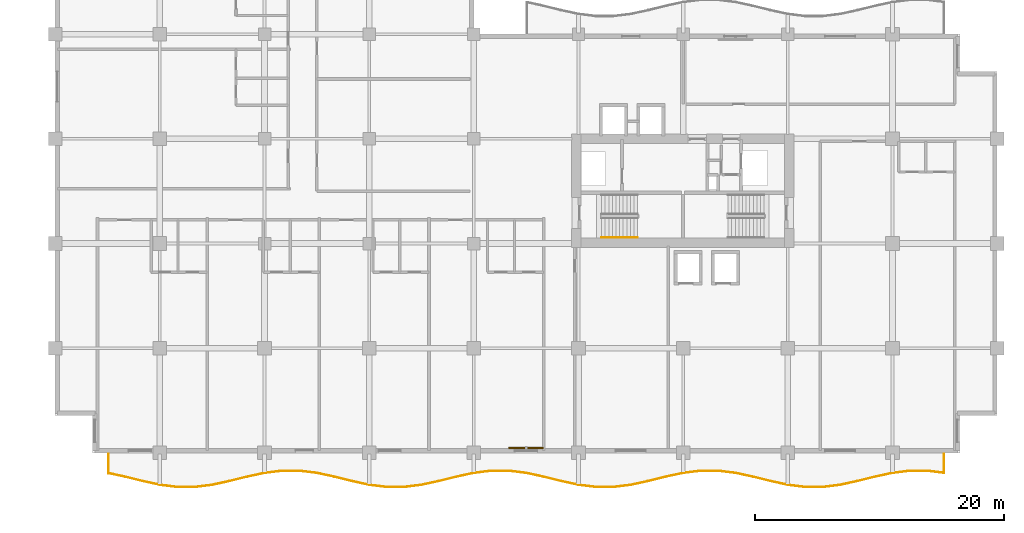
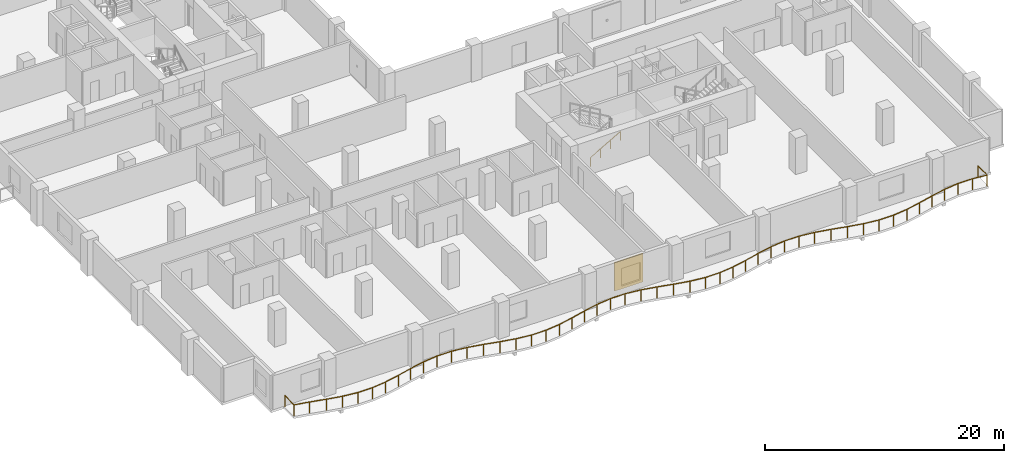
# One storey, part 13 of 16: 2 railings, 1 shading device.
"""IFC4 building model written with IfcOpenShell, lengths in metres."""

import ifcopenshell
import ifcopenshell.guid

model = None  # the IFC model being written
_history = None  # IfcOwnerHistory: only IFC2X3 demands one
_inside = {}  # id of a spatial element -> (the spatial element, [elements in it])
_under = {}  # id of a project, library or spatial element -> (it, [spatial elements below it])
_declared = {}  # id of a project -> (the project, [libraries it declares])
_typed = {}  # id of a type object -> (the type object, [elements of that type])
_made_of = {}  # id of a material, layer set ... -> (it, [elements and type objects made of it])


def new_model(schema):
    """Start an empty IFC model of exactly this schema.

    Asked for "IFC4X3", IfcOpenShell would pick the latest addendum, in which some entities
    have other attributes; the version numbers below select the first issue.
    IFC2X3 requires an IfcOwnerHistory on every rooted entity: one is made here for all.
    """
    global model, _history
    if schema == "IFC4X3":
        model = ifcopenshell.file(schema_version=(4, 3, 0, 0))
    else:
        model = ifcopenshell.file(schema=schema)
    _inside.clear()
    _under.clear()
    _declared.clear()
    _typed.clear()
    _made_of.clear()
    _history = None
    if model.schema == "IFC2X3":
        org = make("IfcOrganization", Name="unknown")
        user = make(
            "IfcPersonAndOrganization",
            ThePerson=make("IfcPerson", FamilyName="unknown"),
            TheOrganization=org,
        )
        app = make(
            "IfcApplication",
            ApplicationDeveloper=org,
            Version="unknown",
            ApplicationFullName="unknown",
            ApplicationIdentifier="unknown",
        )
        _history = make(
            "IfcOwnerHistory",
            OwningUser=user,
            OwningApplication=app,
            ChangeAction="ADDED",
            CreationDate=0,
        )
    return model


def make(cls, **values):
    """One entity of the class cls with the attributes given. An attribute that is None is left unset."""
    return model.create_entity(
        cls, **{name: value for name, value in values.items() if value is not None}
    )


def rooted(cls, **values):
    """An entity with a GlobalId (a new one), such as an element, a storey or a relation."""
    return make(cls, GlobalId=ifcopenshell.guid.new(), OwnerHistory=_history, **values)


def si_unit(unit_type, name, prefix=None):
    """IfcSIUnit, for example si_unit("LENGTHUNIT", "METRE", prefix="MILLI")."""
    return make("IfcSIUnit", UnitType=unit_type, Prefix=prefix, Name=name)


def assignment(units):
    """IfcUnitAssignment: the units of a project."""
    return None if units is None else make("IfcUnitAssignment", Units=units)


def point(xyz):
    """IfcCartesianPoint."""
    return None if xyz is None else make("IfcCartesianPoint", Coordinates=xyz)


def direction(xyz):
    """IfcDirection."""
    return None if xyz is None else make("IfcDirection", DirectionRatios=xyz)


def frame(location, z_axis=None, x_axis=None):
    """IfcAxis2Placement3D, a coordinate frame: its origin and axes. An axis left out is left unset."""
    return make(
        "IfcAxis2Placement3D",
        Location=point(location),
        Axis=direction(z_axis),
        RefDirection=direction(x_axis),
    )


def frame_2d(location, x_axis=None):
    """IfcAxis2Placement2D, a coordinate frame in the plane: its origin and x axis."""
    return make(
        "IfcAxis2Placement2D", Location=point(location), RefDirection=direction(x_axis)
    )


def origin():
    """The frame at (0, 0, 0) with its axes left unset."""
    return frame((0.0, 0.0, 0.0))


def origin_2d():
    """The frame at (0, 0) in the plane with its x axis left unset."""
    return frame_2d((0.0, 0.0))


def place(relative_to, where):
    """IfcLocalPlacement: puts the frame where relative to a parent placement (None: the world)."""
    return make(
        "IfcLocalPlacement", PlacementRelTo=relative_to, RelativePlacement=where
    )


def context(
    kind, dimensions, precision=None, world=None, true_north=None, identifier=None
):
    """IfcGeometricRepresentationContext, for example the 3D "Model" context."""
    return make(
        "IfcGeometricRepresentationContext",
        ContextIdentifier=identifier,
        ContextType=kind,
        CoordinateSpaceDimension=dimensions,
        Precision=precision,
        WorldCoordinateSystem=world,
        TrueNorth=true_north,
    )


def subcontext(parent, identifier, kind, view, scale=None):
    """IfcGeometricRepresentationSubContext, for example "Body" below "Model"."""
    return make(
        "IfcGeometricRepresentationSubContext",
        ContextIdentifier=identifier,
        ContextType=kind,
        ParentContext=parent,
        TargetScale=scale,
        TargetView=view,
    )


def project(units=None, contexts=None):
    """IfcProject with its units and contexts."""
    return rooted(
        "IfcProject",
        Name="project",
        RepresentationContexts=contexts,
        UnitsInContext=assignment(units),
    )


def spatial(cls, under=None, at=None, **own):
    """A site, building, storey or space (cls), placed at a placement, below another one or the project."""
    s = rooted(cls, ObjectPlacement=at, **own)
    if under is not None:
        _under.setdefault(under.id(), (under, []))[1].append(s)
    return s


def profile(cls, at=None, kind="AREA", **sizes):
    """A parametric profile (cls). Its sizes go by their IFC names, for example OverallWidth=200.0."""
    return make(cls, ProfileType=kind, Position=at, **sizes)


def rectangle(**sizes):
    """IfcRectangleProfileDef."""
    return profile("IfcRectangleProfileDef", **sizes)


def circle(**sizes):
    """IfcCircleProfileDef."""
    return profile("IfcCircleProfileDef", **sizes)


def extrude(swept, where, along, depth):
    """IfcExtrudedAreaSolid: the profile swept, set in the frame where, extruded along a direction by depth."""
    return make(
        "IfcExtrudedAreaSolid",
        SweptArea=swept,
        Position=where,
        ExtrudedDirection=direction(along),
        Depth=depth,
    )


def shape(context_of_items, identifier, shape_type, items):
    """IfcShapeRepresentation: the items that make up one representation, for example the "Body"."""
    return make(
        "IfcShapeRepresentation",
        ContextOfItems=context_of_items,
        RepresentationIdentifier=identifier,
        RepresentationType=shape_type,
        Items=items,
    )


def material(Name=None, Category=None):
    """IfcMaterial."""
    return make("IfcMaterial", Name=Name, Category=Category)


def layer(
    of_material, thickness, ventilated=None, Name=None, Category=None, Priority=None
):
    """IfcMaterialLayer: one layer of a wall or slab, of a material (None: an air gap)."""
    return make(
        "IfcMaterialLayer",
        Material=of_material,
        LayerThickness=thickness,
        IsVentilated=ventilated,
        Name=Name,
        Category=Category,
        Priority=Priority,
    )


def layer_set(layers, Name=None):
    """IfcMaterialLayerSet."""
    return make("IfcMaterialLayerSet", MaterialLayers=layers, LayerSetName=Name)


def made_of(thing, what):
    """Note that an element or type object is made of a material, layer set ...; save() writes the relation."""
    if what is not None:
        _made_of.setdefault(what.id(), (what, []))[1].append(thing)
    return thing


def type_object(cls, material=None, **own):
    """A type object (cls), such as IfcWallType, which elements share."""
    return made_of(rooted(cls, **own), material)


def element(
    cls,
    number,
    at=None,
    inside=None,
    cuts=None,
    type_object=None,
    material=None,
    context=None,
    identifier="Body",
    shape_type=None,
    held_by="IfcProductDefinitionShape",
    body=None,
    shapes=None,
    **own,
):
    """One element of the class cls, such as IfcWall. Its Tag is "e" and its number.

    at: its placement. inside: the storey or other place that contains it. cuts: it is an
    opening in that element (IfcRelVoidsElement). A single representation is given by context,
    identifier, shape_type and body (its items); several are given by shapes. held_by: the class
    of the entity that holds the representations. save() writes the other relations.
    """
    e = rooted(cls, Tag="e%d" % number, ObjectPlacement=at, **own)
    if body is not None:
        shapes = [shape(context, identifier, shape_type, body)]
    if shapes is not None:
        e.Representation = make(held_by, Representations=shapes)
    if inside is not None:
        _inside.setdefault(inside.id(), (inside, []))[1].append(e)
    if cuts is not None:
        rooted(
            "IfcRelVoidsElement", RelatingBuildingElement=cuts, RelatedOpeningElement=e
        )
    if type_object is not None:
        _typed.setdefault(type_object.id(), (type_object, []))[1].append(e)
    return made_of(e, material)


def aggregate(whole, parts):
    """IfcRelAggregates: a whole, such as a stair, and the parts it consists of."""
    return rooted("IfcRelAggregates", RelatingObject=whole, RelatedObjects=parts)


def save(model, path):
    """Write the relations noted so far, then the file.

    IfcRelAggregates (storeys below a building ...), IfcRelContainedInSpatialStructure (elements
    in a storey), IfcRelDefinesByType, IfcRelAssociatesMaterial and IfcRelDeclares: one each for
    every whole, place, type object, material and project.
    """
    for whole, parts in _under.values():
        aggregate(whole, parts)
    for where, things in _inside.values():
        rooted(
            "IfcRelContainedInSpatialStructure",
            RelatedElements=things,
            RelatingStructure=where,
        )
    for kind, things in _typed.values():
        rooted("IfcRelDefinesByType", RelatedObjects=things, RelatingType=kind)
    for what, things in _made_of.values():
        rooted("IfcRelAssociatesMaterial", RelatedObjects=things, RelatingMaterial=what)
    for by, libraries in _declared.values():
        rooted("IfcRelDeclares", RelatingContext=by, RelatedDefinitions=libraries)
    model.write(path)


model = new_model("IFC4")

# Units and contexts
model_context = context("Model", 3, precision=1e-05, world=origin(), true_north=direction((0.0, 1.0)))
body_context = subcontext(model_context, "Body", "Model", "MODEL_VIEW")
ifc_project = project(units=[si_unit("LENGTHUNIT", "METRE"), si_unit("AREAUNIT", "SQUARE_METRE"), si_unit("VOLUMEUNIT", "CUBIC_METRE"), si_unit("PLANEANGLEUNIT", "RADIAN"), si_unit("MASSUNIT", "GRAM", prefix="KILO")], contexts=[model_context])

# Site, building, storey
site_placement = place(None, origin())
site = spatial("IfcSite", under=ifc_project, at=site_placement, CompositionType="ELEMENT")
building_placement = place(site_placement, origin())
building = spatial("IfcBuilding", under=site, at=building_placement, Name="Koriwani Terraces Tower", CompositionType="ELEMENT")
storey_placement = place(building_placement, frame((0.0, 0.0, 171.699951171875)))
storey = spatial("IfcBuildingStorey", under=building, at=storey_placement, Name="L41", CompositionType="ELEMENT", Elevation=171.699951171875)

# Railings
ifc_material_1 = material(Name="Steel ASTM A572 Grade 50", Category="steel")
railing_type_1 = type_object("IfcRailingType", Name="GUARD_BALUSTRADE_1150", PredefinedType="BALUSTRADE", material=ifc_material_1)
railing_1_placement = place(storey_placement, frame((4.280029296875, -0.080078125, 0.0)))
element("IfcRailing", 1, at=railing_1_placement, inside=storey, type_object=railing_type_1, Name="L41 Balcony Perimeter Safety Balustrade (S)", PredefinedType="BALUSTRADE", context=body_context, shape_type="SweptSolid", body=[
    extrude(circle(Radius=0.02392578125, at=origin_2d()), frame((0.0, 0.0, 1.1259765625), z_axis=(0.0, -1.0, 0.0), x_axis=(1.0, 0.0, 0.0)), (0.0, 0.0, 1.0), 1.552978515625),
    extrude(circle(Radius=0.02392578125, at=origin_2d()), frame((0.0, -1.552978515625, 1.1259765625), z_axis=(0.977417151998, -0.211318979222, 0.0), x_axis=(0.211318979222, 0.977417151998, 0.0)), (0.0, 0.0, 1.0), 1.369140625),
    extrude(circle(Radius=0.02392578125, at=origin_2d()), frame((1.338134765625, -1.84228515625, 1.1259765625), z_axis=(0.970241952903, -0.242137466795, 0.0), x_axis=(0.242137466795, 0.970241952903, 0.0)), (0.0, 0.0, 1.0), 1.44287109375),
    extrude(circle(Radius=0.02392578125, at=origin_2d()), frame((2.738037109375, -2.191650390625, 1.1259765625), z_axis=(0.977402706702, -0.211385782237, 0.0), x_axis=(0.211385782237, 0.977402706702, 0.0)), (0.0, 0.0, 1.0), 1.427490234375),
    extrude(circle(Radius=0.02392578125, at=origin_2d()), frame((4.13330078125, -2.493408203125, 1.1259765625), z_axis=(0.992309982997, -0.123777613669, 0.0), x_axis=(0.123777613669, 0.992309982997, 0.0)), (0.0, 0.0, 1.0), 1.40234375),
    extrude(circle(Radius=0.02392578125, at=origin_2d()), frame((5.52490234375, -2.6669921875, 1.1259765625), z_axis=(1.0, 0.0, 0.0), x_axis=(0.0, 1.0, 0.0)), (0.0, 0.0, 1.0), 1.39013671875),
    extrude(circle(Radius=0.02392578125, at=origin_2d()), frame((6.9150390625, -2.6669921875, 1.1259765625), z_axis=(0.992309982997, 0.123777613669, 0.0), x_axis=(-0.123777613669, 0.992309982997, 0.0)), (0.0, 0.0, 1.0), 1.40234375),
    extrude(circle(Radius=0.02392578125, at=origin_2d()), frame((8.306640625, -2.493408203125, 1.1259765625), z_axis=(0.977402706702, 0.211385782237, 0.0), x_axis=(-0.211385782237, 0.977402706702, 0.0)), (0.0, 0.0, 1.0), 1.427490234375),
    extrude(circle(Radius=0.02392578125, at=origin_2d()), frame((9.701904296875, -2.191650390625, 1.1259765625), z_axis=(0.970241952903, 0.242137466795, 0.0), x_axis=(-0.242137466795, 0.970241952903, 0.0)), (0.0, 0.0, 1.0), 1.44287109375),
    extrude(circle(Radius=0.02392578125, at=origin_2d()), frame((11.101806640625, -1.84228515625, 1.1259765625), z_axis=(0.977453031353, 0.21115295759, 0.0), x_axis=(-0.21115295759, 0.977453031353, 0.0)), (0.0, 0.0, 1.0), 1.437255859375),
    extrude(circle(Radius=0.02392578125, at=origin_2d()), frame((12.506591796875, -1.538818359375, 1.1259765625), z_axis=(0.992322798546, 0.123674829633, 0.0), x_axis=(-0.123674829633, 0.992322798546, 0.0)), (0.0, 0.0, 1.0), 1.41943359375),
    extrude(circle(Radius=0.02392578125, at=origin_2d()), frame((13.9150390625, -1.36328125, 1.1259765625), z_axis=(1.0, 0.0, 0.0), x_axis=(0.0, 1.0, 0.0)), (0.0, 0.0, 1.0), 1.409912109375),
    extrude(circle(Radius=0.02392578125, at=origin_2d()), frame((15.324951171875, -1.36328125, 1.1259765625), z_axis=(0.992322798546, -0.123674829633, 0.0), x_axis=(0.123674829633, 0.992322798546, 0.0)), (0.0, 0.0, 1.0), 1.41943359375),
    extrude(circle(Radius=0.02392578125, at=origin_2d()), frame((16.7333984375, -1.538818359375, 1.1259765625), z_axis=(0.977453031353, -0.21115295759, 0.0), x_axis=(0.21115295759, 0.977453031353, 0.0)), (0.0, 0.0, 1.0), 1.437255859375),
    extrude(circle(Radius=0.02392578125, at=origin_2d()), frame((18.13818359375, -1.84228515625, 1.1259765625), z_axis=(0.970241952903, -0.242137466795, 0.0), x_axis=(0.242137466795, 0.970241952903, 0.0)), (0.0, 0.0, 1.0), 1.44287109375),
    extrude(circle(Radius=0.02392578125, at=origin_2d()), frame((19.5380859375, -2.191650390625, 1.1259765625), z_axis=(0.977402706702, -0.211385782237, 0.0), x_axis=(0.211385782237, 0.977402706702, 0.0)), (0.0, 0.0, 1.0), 1.427490234375),
    extrude(circle(Radius=0.02392578125, at=origin_2d()), frame((20.933349609375, -2.493408203125, 1.1259765625), z_axis=(0.992309982997, -0.123777613669, 0.0), x_axis=(0.123777613669, 0.992309982997, 0.0)), (0.0, 0.0, 1.0), 1.40234375),
    extrude(circle(Radius=0.02392578125, at=origin_2d()), frame((22.324951171875, -2.6669921875, 1.1259765625), z_axis=(1.0, 0.0, 0.0), x_axis=(0.0, 1.0, 0.0)), (0.0, 0.0, 1.0), 1.39013671875),
    extrude(circle(Radius=0.02392578125, at=origin_2d()), frame((23.715087890625, -2.6669921875, 1.1259765625), z_axis=(0.992309982997, 0.123777613669, 0.0), x_axis=(-0.123777613669, 0.992309982997, 0.0)), (0.0, 0.0, 1.0), 1.40234375),
    extrude(circle(Radius=0.02392578125, at=origin_2d()), frame((25.106689453125, -2.493408203125, 1.1259765625), z_axis=(0.977402706702, 0.211385782237, 0.0), x_axis=(-0.211385782237, 0.977402706702, 0.0)), (0.0, 0.0, 1.0), 1.427490234375),
    extrude(circle(Radius=0.02392578125, at=origin_2d()), frame((26.501953125, -2.191650390625, 1.1259765625), z_axis=(0.970241952903, 0.242137466795, 0.0), x_axis=(-0.242137466795, 0.970241952903, 0.0)), (0.0, 0.0, 1.0), 1.44287109375),
    extrude(circle(Radius=0.02392578125, at=origin_2d()), frame((27.90185546875, -1.84228515625, 1.1259765625), z_axis=(0.977453031353, 0.21115295759, 0.0), x_axis=(-0.21115295759, 0.977453031353, 0.0)), (0.0, 0.0, 1.0), 1.437255859375),
    extrude(circle(Radius=0.02392578125, at=origin_2d()), frame((29.306640625, -1.538818359375, 1.1259765625), z_axis=(0.992322798546, 0.123674829633, 0.0), x_axis=(-0.123674829633, 0.992322798546, 0.0)), (0.0, 0.0, 1.0), 1.41943359375),
    extrude(circle(Radius=0.02392578125, at=origin_2d()), frame((30.715087890625, -1.36328125, 1.1259765625), z_axis=(1.0, 0.0, 0.0), x_axis=(0.0, 1.0, 0.0)), (0.0, 0.0, 1.0), 1.409912109375),
    extrude(circle(Radius=0.02392578125, at=origin_2d()), frame((32.125, -1.36328125, 1.1259765625), z_axis=(0.992322798546, -0.123674829633, 0.0), x_axis=(0.123674829633, 0.992322798546, 0.0)), (0.0, 0.0, 1.0), 1.41943359375),
    extrude(circle(Radius=0.02392578125, at=origin_2d()), frame((33.533447265625, -1.538818359375, 1.1259765625), z_axis=(0.977445455552, -0.211188023857, 0.0), x_axis=(0.211188023857, 0.977445455552, 0.0)), (0.0, 0.0, 1.0), 1.43701171875),
    extrude(circle(Radius=0.02392578125, at=origin_2d()), frame((34.93798828125, -1.84228515625, 1.1259765625), z_axis=(0.970251871253, -0.242097720621, 0.0), x_axis=(0.242097720621, 0.970251871253, 0.0)), (0.0, 0.0, 1.0), 1.443115234375),
    extrude(circle(Radius=0.02392578125, at=origin_2d()), frame((36.338134765625, -2.191650390625, 1.1259765625), z_axis=(0.977402706702, -0.211385782237, 0.0), x_axis=(0.211385782237, 0.977402706702, 0.0)), (0.0, 0.0, 1.0), 1.427490234375),
    extrude(circle(Radius=0.02392578125, at=origin_2d()), frame((37.7333984375, -2.493408203125, 1.1259765625), z_axis=(0.992309982997, -0.123777613669, 0.0), x_axis=(0.123777613669, 0.992309982997, 0.0)), (0.0, 0.0, 1.0), 1.40234375),
    extrude(circle(Radius=0.02392578125, at=origin_2d()), frame((39.125, -2.6669921875, 1.1259765625), z_axis=(1.0, 0.0, 0.0), x_axis=(0.0, 1.0, 0.0)), (0.0, 0.0, 1.0), 1.389892578125),
    extrude(circle(Radius=0.02392578125, at=origin_2d()), frame((40.514892578125, -2.6669921875, 1.1259765625), z_axis=(0.992309982997, 0.123777613669, 0.0), x_axis=(-0.123777613669, 0.992309982997, 0.0)), (0.0, 0.0, 1.0), 1.40234375),
    extrude(circle(Radius=0.02392578125, at=origin_2d()), frame((41.906494140625, -2.493408203125, 1.1259765625), z_axis=(0.977402706702, 0.211385782237, 0.0), x_axis=(-0.211385782237, 0.977402706702, 0.0)), (0.0, 0.0, 1.0), 1.427490234375),
    extrude(circle(Radius=0.02392578125, at=origin_2d()), frame((43.3017578125, -2.191650390625, 1.1259765625), z_axis=(0.970251871253, 0.242097720621, 0.0), x_axis=(-0.242097720621, 0.970251871253, 0.0)), (0.0, 0.0, 1.0), 1.443115234375),
    extrude(circle(Radius=0.02392578125, at=origin_2d()), frame((44.701904296875, -1.84228515625, 1.1259765625), z_axis=(0.977453031353, 0.21115295759, 0.0), x_axis=(-0.21115295759, 0.977453031353, 0.0)), (0.0, 0.0, 1.0), 1.437255859375),
    extrude(circle(Radius=0.02392578125, at=origin_2d()), frame((46.106689453125, -1.538818359375, 1.1259765625), z_axis=(0.992320166908, 0.123695943136, 0.0), x_axis=(-0.123695943136, 0.992320166908, 0.0)), (0.0, 0.0, 1.0), 1.419189453125),
    extrude(circle(Radius=0.02392578125, at=origin_2d()), frame((47.514892578125, -1.36328125, 1.1259765625), z_axis=(1.0, 0.0, 0.0), x_axis=(0.0, 1.0, 0.0)), (0.0, 0.0, 1.0), 1.41015625),
    extrude(circle(Radius=0.02392578125, at=origin_2d()), frame((48.925048828125, -1.36328125, 1.1259765625), z_axis=(0.992320166908, -0.123695943136, 0.0), x_axis=(0.123695943136, 0.992320166908, 0.0)), (0.0, 0.0, 1.0), 1.419189453125),
    extrude(circle(Radius=0.02392578125, at=origin_2d()), frame((50.333251953125, -1.538818359375, 1.1259765625), z_axis=(0.977453031353, -0.21115295759, 0.0), x_axis=(0.21115295759, 0.977453031353, 0.0)), (0.0, 0.0, 1.0), 1.437255859375),
    extrude(circle(Radius=0.02392578125, at=origin_2d()), frame((51.738037109375, -1.84228515625, 1.1259765625), z_axis=(0.970251871253, -0.242097720621, 0.0), x_axis=(0.242097720621, 0.970251871253, 0.0)), (0.0, 0.0, 1.0), 1.443115234375),
    extrude(circle(Radius=0.02392578125, at=origin_2d()), frame((53.13818359375, -2.191650390625, 1.1259765625), z_axis=(0.977402706702, -0.211385782237, 0.0), x_axis=(0.211385782237, 0.977402706702, 0.0)), (0.0, 0.0, 1.0), 1.427490234375),
    extrude(circle(Radius=0.02392578125, at=origin_2d()), frame((54.533447265625, -2.493408203125, 1.1259765625), z_axis=(0.992309982997, -0.123777613669, 0.0), x_axis=(0.123777613669, 0.992309982997, 0.0)), (0.0, 0.0, 1.0), 1.40234375),
    extrude(circle(Radius=0.02392578125, at=origin_2d()), frame((55.925048828125, -2.6669921875, 1.1259765625), z_axis=(1.0, 0.0, 0.0), x_axis=(0.0, 1.0, 0.0)), (0.0, 0.0, 1.0), 1.389892578125),
    extrude(circle(Radius=0.02392578125, at=origin_2d()), frame((57.31494140625, -2.6669921875, 1.1259765625), z_axis=(0.992309982997, 0.123777613669, 0.0), x_axis=(-0.123777613669, 0.992309982997, 0.0)), (0.0, 0.0, 1.0), 1.40234375),
    extrude(circle(Radius=0.02392578125, at=origin_2d()), frame((58.70654296875, -2.493408203125, 1.1259765625), z_axis=(0.977402706702, 0.211385782237, 0.0), x_axis=(-0.211385782237, 0.977402706702, 0.0)), (0.0, 0.0, 1.0), 1.427490234375),
    extrude(circle(Radius=0.02392578125, at=origin_2d()), frame((60.101806640625, -2.191650390625, 1.1259765625), z_axis=(0.970251871253, 0.242097720621, 0.0), x_axis=(-0.242097720621, 0.970251871253, 0.0)), (0.0, 0.0, 1.0), 1.443115234375),
    extrude(circle(Radius=0.02392578125, at=origin_2d()), frame((61.501953125, -1.84228515625, 1.1259765625), z_axis=(0.977445455552, 0.211188023857, 0.0), x_axis=(-0.211188023857, 0.977445455552, 0.0)), (0.0, 0.0, 1.0), 1.43701171875),
    extrude(circle(Radius=0.02392578125, at=origin_2d()), frame((62.906494140625, -1.538818359375, 1.1259765625), z_axis=(0.992322798546, 0.123674829633, 0.0), x_axis=(-0.123674829633, 0.992322798546, 0.0)), (0.0, 0.0, 1.0), 1.41943359375),
    extrude(circle(Radius=0.02392578125, at=origin_2d()), frame((64.31494140625, -1.36328125, 1.1259765625), z_axis=(1.0, 0.0, 0.0), x_axis=(0.0, 1.0, 0.0)), (0.0, 0.0, 1.0), 1.409912109375),
    extrude(circle(Radius=0.02392578125, at=origin_2d()), frame((65.724853515625, -1.36328125, 1.1259765625), z_axis=(0.992331628798, -0.123603958219, 0.0), x_axis=(0.123603958219, 0.992331628798, 0.0)), (0.0, 0.0, 1.0), 1.325439453125),
    extrude(circle(Radius=0.02392578125, at=origin_2d()), frame((67.0400390625, -1.527099609375, 1.1259765625), z_axis=(0.0, 1.0, 0.0), x_axis=(-1.0, 0.0, 0.0)), (0.0, 0.0, 1.0), 1.527099609375),
    extrude(circle(Radius=0.02099609375, at=origin_2d()), origin(), (0.0, 0.0, 1.0), 1.101806640625),
    extrude(circle(Radius=0.02099609375, at=origin_2d()), frame((0.0, -1.552978515625, 0.0)), (0.0, 0.0, 1.0), 1.101806640625),
    extrude(circle(Radius=0.02099609375, at=origin_2d()), frame((1.338134765625, -1.84228515625, 0.0)), (0.0, 0.0, 1.0), 1.101806640625),
    extrude(circle(Radius=0.02099609375, at=origin_2d()), frame((2.738037109375, -2.191650390625, 0.0)), (0.0, 0.0, 1.0), 1.101806640625),
    extrude(circle(Radius=0.02099609375, at=origin_2d()), frame((4.13330078125, -2.493408203125, 0.0)), (0.0, 0.0, 1.0), 1.101806640625),
    extrude(circle(Radius=0.02099609375, at=origin_2d()), frame((5.52490234375, -2.6669921875, 0.0)), (0.0, 0.0, 1.0), 1.101806640625),
    extrude(circle(Radius=0.02099609375, at=origin_2d()), frame((6.9150390625, -2.6669921875, 0.0)), (0.0, 0.0, 1.0), 1.101806640625),
    extrude(circle(Radius=0.02099609375, at=origin_2d()), frame((8.306640625, -2.493408203125, 0.0)), (0.0, 0.0, 1.0), 1.101806640625),
    extrude(circle(Radius=0.02099609375, at=origin_2d()), frame((9.701904296875, -2.191650390625, 0.0)), (0.0, 0.0, 1.0), 1.101806640625),
    extrude(circle(Radius=0.02099609375, at=origin_2d()), frame((11.101806640625, -1.84228515625, 0.0)), (0.0, 0.0, 1.0), 1.101806640625),
    extrude(circle(Radius=0.02099609375, at=origin_2d()), frame((12.506591796875, -1.538818359375, 0.0)), (0.0, 0.0, 1.0), 1.101806640625),
    extrude(circle(Radius=0.02099609375, at=origin_2d()), frame((13.9150390625, -1.36328125, 0.0)), (0.0, 0.0, 1.0), 1.101806640625),
    extrude(circle(Radius=0.02099609375, at=origin_2d()), frame((15.324951171875, -1.36328125, 0.0)), (0.0, 0.0, 1.0), 1.101806640625),
    extrude(circle(Radius=0.02099609375, at=origin_2d()), frame((16.7333984375, -1.538818359375, 0.0)), (0.0, 0.0, 1.0), 1.101806640625),
    extrude(circle(Radius=0.02099609375, at=origin_2d()), frame((18.13818359375, -1.84228515625, 0.0)), (0.0, 0.0, 1.0), 1.101806640625),
    extrude(circle(Radius=0.02099609375, at=origin_2d()), frame((19.5380859375, -2.191650390625, 0.0)), (0.0, 0.0, 1.0), 1.101806640625),
    extrude(circle(Radius=0.02099609375, at=origin_2d()), frame((20.933349609375, -2.493408203125, 0.0)), (0.0, 0.0, 1.0), 1.101806640625),
    extrude(circle(Radius=0.02099609375, at=origin_2d()), frame((22.324951171875, -2.6669921875, 0.0)), (0.0, 0.0, 1.0), 1.101806640625),
    extrude(circle(Radius=0.02099609375, at=origin_2d()), frame((23.715087890625, -2.6669921875, 0.0)), (0.0, 0.0, 1.0), 1.101806640625),
    extrude(circle(Radius=0.02099609375, at=origin_2d()), frame((25.106689453125, -2.493408203125, 0.0)), (0.0, 0.0, 1.0), 1.101806640625),
    extrude(circle(Radius=0.02099609375, at=origin_2d()), frame((26.501953125, -2.191650390625, 0.0)), (0.0, 0.0, 1.0), 1.101806640625),
    extrude(circle(Radius=0.02099609375, at=origin_2d()), frame((27.90185546875, -1.84228515625, 0.0)), (0.0, 0.0, 1.0), 1.101806640625),
    extrude(circle(Radius=0.02099609375, at=origin_2d()), frame((29.306640625, -1.538818359375, 0.0)), (0.0, 0.0, 1.0), 1.101806640625),
    extrude(circle(Radius=0.02099609375, at=origin_2d()), frame((30.715087890625, -1.36328125, 0.0)), (0.0, 0.0, 1.0), 1.101806640625),
    extrude(circle(Radius=0.02099609375, at=origin_2d()), frame((32.125, -1.36328125, 0.0)), (0.0, 0.0, 1.0), 1.101806640625),
    extrude(circle(Radius=0.02099609375, at=origin_2d()), frame((33.533447265625, -1.538818359375, 0.0)), (0.0, 0.0, 1.0), 1.101806640625),
    extrude(circle(Radius=0.02099609375, at=origin_2d()), frame((34.93798828125, -1.84228515625, 0.0)), (0.0, 0.0, 1.0), 1.101806640625),
    extrude(circle(Radius=0.02099609375, at=origin_2d()), frame((36.338134765625, -2.191650390625, 0.0)), (0.0, 0.0, 1.0), 1.101806640625),
    extrude(circle(Radius=0.02099609375, at=origin_2d()), frame((37.7333984375, -2.493408203125, 0.0)), (0.0, 0.0, 1.0), 1.101806640625),
    extrude(circle(Radius=0.02099609375, at=origin_2d()), frame((39.125, -2.6669921875, 0.0)), (0.0, 0.0, 1.0), 1.101806640625),
    extrude(circle(Radius=0.02099609375, at=origin_2d()), frame((40.514892578125, -2.6669921875, 0.0)), (0.0, 0.0, 1.0), 1.101806640625),
    extrude(circle(Radius=0.02099609375, at=origin_2d()), frame((41.906494140625, -2.493408203125, 0.0)), (0.0, 0.0, 1.0), 1.101806640625),
    extrude(circle(Radius=0.02099609375, at=origin_2d()), frame((43.3017578125, -2.191650390625, 0.0)), (0.0, 0.0, 1.0), 1.101806640625),
    extrude(circle(Radius=0.02099609375, at=origin_2d()), frame((44.701904296875, -1.84228515625, 0.0)), (0.0, 0.0, 1.0), 1.101806640625),
    extrude(circle(Radius=0.02099609375, at=origin_2d()), frame((46.106689453125, -1.538818359375, 0.0)), (0.0, 0.0, 1.0), 1.101806640625),
    extrude(circle(Radius=0.02099609375, at=origin_2d()), frame((47.514892578125, -1.36328125, 0.0)), (0.0, 0.0, 1.0), 1.101806640625),
    extrude(circle(Radius=0.02099609375, at=origin_2d()), frame((48.925048828125, -1.36328125, 0.0)), (0.0, 0.0, 1.0), 1.101806640625),
    extrude(circle(Radius=0.02099609375, at=origin_2d()), frame((50.333251953125, -1.538818359375, 0.0)), (0.0, 0.0, 1.0), 1.101806640625),
    extrude(circle(Radius=0.02099609375, at=origin_2d()), frame((51.738037109375, -1.84228515625, 0.0)), (0.0, 0.0, 1.0), 1.101806640625),
    extrude(circle(Radius=0.02099609375, at=origin_2d()), frame((53.13818359375, -2.191650390625, 0.0)), (0.0, 0.0, 1.0), 1.101806640625),
    extrude(circle(Radius=0.02099609375, at=origin_2d()), frame((54.533447265625, -2.493408203125, 0.0)), (0.0, 0.0, 1.0), 1.101806640625),
    extrude(circle(Radius=0.02099609375, at=origin_2d()), frame((55.925048828125, -2.6669921875, 0.0)), (0.0, 0.0, 1.0), 1.101806640625),
    extrude(circle(Radius=0.02099609375, at=origin_2d()), frame((57.31494140625, -2.6669921875, 0.0)), (0.0, 0.0, 1.0), 1.101806640625),
    extrude(circle(Radius=0.02099609375, at=origin_2d()), frame((58.70654296875, -2.493408203125, 0.0)), (0.0, 0.0, 1.0), 1.101806640625),
    extrude(circle(Radius=0.02099609375, at=origin_2d()), frame((60.101806640625, -2.191650390625, 0.0)), (0.0, 0.0, 1.0), 1.101806640625),
    extrude(circle(Radius=0.02099609375, at=origin_2d()), frame((61.501953125, -1.84228515625, 0.0)), (0.0, 0.0, 1.0), 1.101806640625),
    extrude(circle(Radius=0.02099609375, at=origin_2d()), frame((62.906494140625, -1.538818359375, 0.0)), (0.0, 0.0, 1.0), 1.101806640625),
    extrude(circle(Radius=0.02099609375, at=origin_2d()), frame((64.31494140625, -1.36328125, 0.0)), (0.0, 0.0, 1.0), 1.101806640625),
    extrude(circle(Radius=0.02099609375, at=origin_2d()), frame((65.724853515625, -1.36328125, 0.0)), (0.0, 0.0, 1.0), 1.101806640625),
    extrude(circle(Radius=0.02099609375, at=origin_2d()), frame((67.0400390625, -1.527099609375, 0.0)), (0.0, 0.0, 1.0), 1.101806640625),
    extrude(circle(Radius=0.02099609375, at=origin_2d()), frame((67.0400390625, 0.0, 0.0)), (0.0, 0.0, 1.0), 1.101806640625),
])
railing_type_2 = type_object("IfcRailingType", Name="HANDRAIL_STAIR_920", PredefinedType="HANDRAIL", material=ifc_material_1)
railing_2_placement = place(storey_placement, frame((43.85009765625, 17.300048828125, 0.168212890625)))
element("IfcRailing", 2, at=railing_2_placement, inside=storey, type_object=railing_type_2, Name="L41 ST-E1 stair handrail 1", PredefinedType="HANDRAIL", context=body_context, shape_type="SweptSolid", body=[
    extrude(circle(Radius=0.02392578125, at=origin_2d()), frame((0.0, 0.0, 0.8759765625), z_axis=(0.865038774852, 0.0, 0.501705010941), x_axis=(0.0, 1.0, 0.0)), (0.0, 0.0, 1.0), 3.352294921875),
    extrude(circle(Radius=0.02099609375, at=origin_2d()), origin(), (0.0, 0.0, 1.0), 0.851806640625),
    extrude(circle(Radius=0.02099609375, at=origin_2d()), frame((0.966552734375, 0.0, 0.560546875)), (0.0, 0.0, 1.0), 0.851806640625),
    extrude(circle(Radius=0.02099609375, at=origin_2d()), frame((1.933349609375, 0.0, 1.121337890625)), (0.0, 0.0, 1.0), 0.851806640625),
    extrude(circle(Radius=0.02099609375, at=origin_2d()), frame((2.89990234375, 0.0, 1.681884765625)), (0.0, 0.0, 1.0), 0.851806640625),
])

# Shading device
ifc_material_2 = material(Name="Extruded Terracotta Clay", Category="masonry")
ifc_layer = layer(ifc_material_2, 0.1201171875, Name="Extruded Terracotta Clay")
ifc_layer_set = layer_set([ifc_layer], Name="Extruded Terracotta Clay")
shading_device_type = type_object("IfcShadingDeviceType", Name="TERRACOTTA_BAGUETTE_SCREEN_2800", PredefinedType="USERDEFINED", material=ifc_layer_set)
shading_device_placement = place(storey_placement, frame((37.800048828125, 0.405029296875, 0.28515625), z_axis=(0.0, 0.0, 1.0), x_axis=(-1.0, 0.0, 0.0)))
element("IfcShadingDevice", 3, at=shading_device_placement, inside=storey, type_object=shading_device_type, Name="L41 Extruded Terracotta Baguette Screen (S-12)", ObjectType="BAGUETTE", PredefinedType="USERDEFINED", context=body_context, shape_type="SweptSolid", body=[
    extrude(rectangle(XDim=2.760009765625, YDim=0.1201171875, at=origin_2d()), origin(), (0.0, 0.0, 1.0), 2.89990234375),
])

save(model, "model.ifc")
